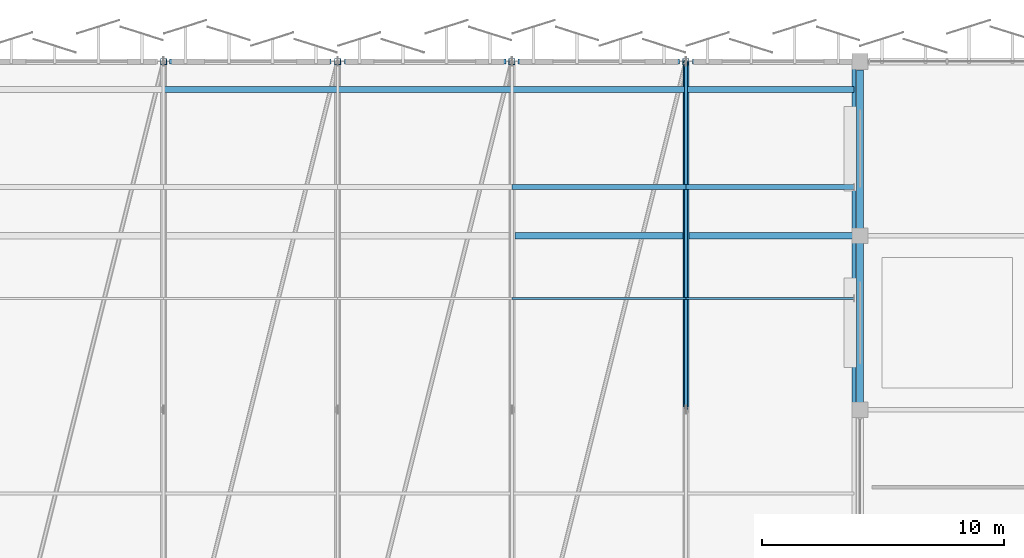
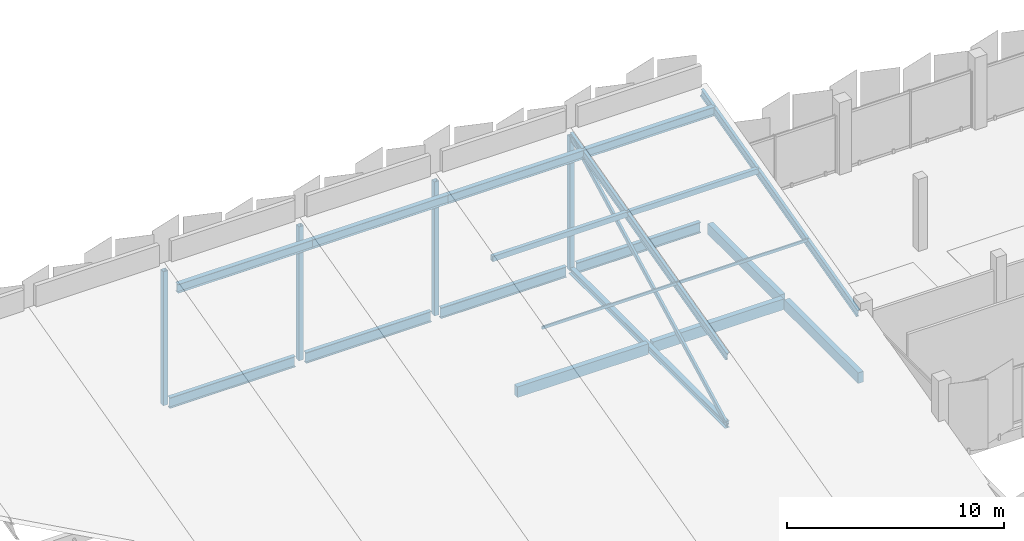
# One storey, part 36 of 108: 16 members, 8 beams.
"""IFC4 building model written with IfcOpenShell, lengths in metres."""

from ifc_helpers import new_model, si_unit, direction, frame, origin, origin_2d, place, context, subcontext, project, spatial, rectangle, hollow_rectangle, i_section, extrude, material, material_profile, profile_set, type_object, element, save


model = new_model("IFC4")

# Units and contexts
model_context = context("Model", 3, precision=1e-05, world=origin(), true_north=direction((0.0, 1.0)))
body_context = subcontext(model_context, "Body", "Model", "MODEL_VIEW")
ifc_project = project(units=[si_unit("LENGTHUNIT", "METRE"), si_unit("AREAUNIT", "SQUARE_METRE"), si_unit("VOLUMEUNIT", "CUBIC_METRE"), si_unit("PLANEANGLEUNIT", "RADIAN"), si_unit("MASSUNIT", "GRAM", prefix="KILO")], contexts=[model_context])

# Site, building, storey
site_placement = place(None, origin())
site = spatial("IfcSite", under=ifc_project, at=site_placement, CompositionType="ELEMENT")
building_placement = place(site_placement, origin())
building = spatial("IfcBuilding", under=site, at=building_placement, Name="Kangsadwip Square Police Headquarters", CompositionType="ELEMENT")
storey_placement = place(building_placement, frame((0.0, 0.0, 9.449951171875)))
storey = spatial("IfcBuildingStorey", under=building, at=storey_placement, Name="L02", CompositionType="ELEMENT", Elevation=9.449951171875)

# Beams
ifc_material_1 = material(Name="Concrete M40 (40 MPa)", Category="concrete")
ifc_material_profile_1 = material_profile(ifc_material_1, rectangle(XDim=0.280029296875, YDim=0.60009765625, at=origin_2d()), Name="RC SPN 600X280")
ifc_profile_set_1 = profile_set([ifc_material_profile_1], Name="Concrete M40 (40 MPa)")
beam_type_1 = type_object("IfcBeamType", Name="RcSpandrel600x280", PredefinedType="SPANDREL", material=ifc_profile_set_1)
beam_1_placement = place(storey_placement, frame((79.324951171875, 108.0, -0.5400390625), z_axis=(1.0, 0.0, 0.0), x_axis=(0.0, 1.0, 0.0)))
element("IfcBeam", 1, at=beam_1_placement, inside=storey, type_object=beam_type_1, Name="Beam BM-L02-X-11-15", PredefinedType="SPANDREL", context=body_context, shape_type="SweptSolid", body=[
    extrude(rectangle(XDim=0.280029296875, YDim=0.60009765625, at=origin_2d()), origin(), (0.0, 0.0, 1.0), 6.949951171875),
])
beam_2_placement = place(storey_placement, frame((86.52490234375, 108.0, -0.5400390625), z_axis=(1.0, 0.0, 0.0), x_axis=(0.0, 1.0, 0.0)))
element("IfcBeam", 2, at=beam_2_placement, inside=storey, type_object=beam_type_1, Name="Beam BM-L02-X-12-15", PredefinedType="SPANDREL", context=body_context, shape_type="SweptSolid", body=[
    extrude(rectangle(XDim=0.280029296875, YDim=0.60009765625, at=origin_2d()), origin(), (0.0, 0.0, 1.0), 6.9501953125),
])
beam_3_placement = place(storey_placement, frame((93.60009765625, 101.0, -0.5400390625), z_axis=(0.0, 1.0, 0.0), x_axis=(-1.0, 0.0, 0.0)))
element("IfcBeam", 3, at=beam_3_placement, inside=storey, type_object=beam_type_1, Name="Beam BM-L02-Y-13-14", PredefinedType="SPANDREL", context=body_context, shape_type="SweptSolid", body=[
    extrude(rectangle(XDim=0.280029296875, YDim=0.60009765625, at=origin_2d()), origin(), (0.0, 0.0, 1.0), 6.800048828125),
])
beam_4_placement = place(storey_placement, frame((93.60009765625, 108.199951171875, -0.5400390625), z_axis=(0.0, 1.0, 0.0), x_axis=(-1.0, 0.0, 0.0)))
element("IfcBeam", 4, at=beam_4_placement, inside=storey, type_object=beam_type_1, Name="Beam BM-L02-Y-13-15", PredefinedType="SPANDREL", context=body_context, shape_type="SweptSolid", body=[
    extrude(rectangle(XDim=0.280029296875, YDim=0.60009765625, at=origin_2d()), origin(), (0.0, 0.0, 1.0), 6.650146484375),
])

# Members
ifc_material_2 = material(Name="Structural steel IS 2062 E350 (Grade 350, 350 MPa)", Category="steel")
ifc_material_profile_2 = material_profile(ifc_material_2, hollow_rectangle(XDim=0.080078125, YDim=0.159912109375, WallThickness=0.006103515625, at=origin_2d()), Name="RHS 160X80X6")
ifc_profile_set_2 = profile_set([ifc_material_profile_2], Name="Structural steel IS 2062 E350 (Grade 350, 350 MPa)")
member_type_1 = type_object("IfcMemberType", Name="RoofPurlinRhs160", PredefinedType="PURLIN", material=ifc_profile_set_2)
member_1_placement = place(storey_placement, frame((79.199951171875, 105.407958984375, 4.6240234375), z_axis=(1.0, 0.0, 0.0), x_axis=(0.0, 1.0, 0.0)))
element("IfcMember", 5, at=member_1_placement, inside=storey, type_object=member_type_1, Name="Truss Member MEM-L02-0110", PredefinedType="PURLIN", context=body_context, shape_type="SweptSolid", body=[
    extrude(hollow_rectangle(XDim=0.080078125, YDim=0.159912109375, WallThickness=0.006103515625, at=origin_2d()), origin(), (0.0, 0.0, 1.0), 7.199951171875),
])
member_2_placement = place(storey_placement, frame((86.39990234375, 105.407958984375, 4.6240234375), z_axis=(1.0, 0.0, 0.0), x_axis=(0.0, 1.0, 0.0)))
element("IfcMember", 6, at=member_2_placement, inside=storey, type_object=member_type_1, Name="Truss Member MEM-L02-0116", PredefinedType="PURLIN", context=body_context, shape_type="SweptSolid", body=[
    extrude(hollow_rectangle(XDim=0.080078125, YDim=0.159912109375, WallThickness=0.006103515625, at=origin_2d()), origin(), (0.0, 0.0, 1.0), 6.9501953125),
])
ifc_material_3 = material(Name="Structural steel IS 2062 E350 (Grade 350, 350 MPa)", Category="steel")
ifc_material_profile_3 = material_profile(ifc_material_3, hollow_rectangle(XDim=0.199951171875, YDim=0.300048828125, WallThickness=0.011962890625, at=origin_2d()), Name="RHS 300X200X12")
ifc_profile_set_3 = profile_set([ifc_material_profile_3], Name="Structural steel IS 2062 E350 (Grade 350, 350 MPa)")
member_type_2 = type_object("IfcMemberType", Name="RoofPurlinRhs300", PredefinedType="PURLIN", material=ifc_profile_set_3)
member_3_placement = place(storey_placement, frame((79.199951171875, 110.01611328125, 5.738037109375), z_axis=(1.0, 0.0, 0.0), x_axis=(0.0, 1.0, 0.0)))
element("IfcMember", 7, at=member_3_placement, inside=storey, type_object=member_type_2, Name="Truss Member MEM-L02-0111", PredefinedType="PURLIN", context=body_context, shape_type="SweptSolid", body=[
    extrude(hollow_rectangle(XDim=0.199951171875, YDim=0.300048828125, WallThickness=0.011962890625, at=origin_2d()), origin(), (0.0, 0.0, 1.0), 7.199951171875),
])
member_4_placement = place(storey_placement, frame((86.39990234375, 110.01611328125, 5.738037109375), z_axis=(1.0, 0.0, 0.0), x_axis=(0.0, 1.0, 0.0)))
element("IfcMember", 8, at=member_4_placement, inside=storey, type_object=member_type_2, Name="Truss Member MEM-L02-0117", PredefinedType="PURLIN", context=body_context, shape_type="SweptSolid", body=[
    extrude(hollow_rectangle(XDim=0.199951171875, YDim=0.300048828125, WallThickness=0.011962890625, at=origin_2d()), origin(), (0.0, 0.0, 1.0), 6.9501953125),
])
ifc_material_4 = material(Name="Structural steel IS 2062 E350 (Grade 350, 350 MPa)", Category="steel")
ifc_material_profile_4 = material_profile(ifc_material_4, i_section(OverallWidth=0.14990234375, OverallDepth=0.449951171875, WebThickness=0.009521484375, FlangeThickness=0.017333984375, at=origin_2d()), Name="ISMB 450")
ifc_profile_set_4 = profile_set([ifc_material_profile_4], Name="Structural steel IS 2062 E350 (Grade 350, 350 MPa)")
member_type_3 = type_object("IfcMemberType", Name="SawtoothRafterIsmb450", PredefinedType="RAFTER", material=ifc_profile_set_4)
for number, where, z_axis, x_axis, name in (
    (9, (86.39990234375, 100.800048828125, 3.280029296875), (0.0, 0.968539651086, 0.248859286091), (-1.0, 0.0, 0.0), "Truss Member MEM-L02-0069"),
    (10, (93.35009765625, 100.800048828125, 3.280029296875), (0.0, 0.968539651086, 0.248859286091), (-1.0, 0.0, 0.0), "Truss Member MEM-L02-0078"),
):
    element("IfcMember", number, at=place(storey_placement, frame(where, z_axis=z_axis, x_axis=x_axis)), inside=storey, type_object=member_type_3, Name=name, PredefinedType="RAFTER", context=body_context, shape_type="SweptSolid", body=[
        extrude(i_section(OverallWidth=0.14990234375, OverallDepth=0.449951171875, WebThickness=0.009521484375, FlangeThickness=0.017333984375, at=origin_2d()), origin(), (0.0, 0.0, 1.0), 14.86767578125),
    ])

# Beams
ifc_material_5 = material(Name="Structural steel IS 2062 E350 (Grade 350, 350 MPa)", Category="steel")
ifc_material_profile_5 = material_profile(ifc_material_5, i_section(OverallWidth=0.2099609375, OverallDepth=0.60009765625, WebThickness=0.011962890625, FlangeThickness=0.020751953125, at=origin_2d()), Name="ISMB 600")
ifc_profile_set_5 = profile_set([ifc_material_profile_5], Name="Structural steel IS 2062 E350 (Grade 350, 350 MPa)")
beam_type_2 = type_object("IfcBeamType", Name="SteelBeamIsmb600", PredefinedType="BEAM", material=ifc_profile_set_5)
for number, where, z_axis, x_axis, name in (
    (11, (65.050048828125, 115.199951171875, -0.5400390625), (1.0, 0.0, 0.0), (0.0, 1.0, 0.0), "Beam BM-L02-EAVE-0381"),
    (12, (72.27490234375, 115.199951171875, -0.5400390625), (1.0, 0.0, 0.0), (0.0, 1.0, 0.0), "Beam BM-L02-EAVE-0382"),
    (13, (79.449951171875, 115.199951171875, -0.5400390625), (1.0, 0.0, 0.0), (0.0, 1.0, 0.0), "Beam BM-L02-EAVE-0383"),
):
    element("IfcBeam", number, at=place(storey_placement, frame(where, z_axis=z_axis, x_axis=x_axis)), inside=storey, type_object=beam_type_2, Name=name, PredefinedType="BEAM", context=body_context, shape_type="SweptSolid", body=[
        extrude(i_section(OverallWidth=0.2099609375, OverallDepth=0.60009765625, WebThickness=0.011962890625, FlangeThickness=0.020751953125, at=origin_2d()), origin(), (0.0, 0.0, 1.0), 6.675048828125),
    ])
beam_5_placement = place(storey_placement, frame((86.675048828125, 115.199951171875, -0.5400390625), z_axis=(1.0, 0.0, 0.0), x_axis=(0.0, 1.0, 0.0)))
element("IfcBeam", 14, at=beam_5_placement, inside=storey, type_object=beam_type_2, Name="Beam BM-L02-EAVE-0384", PredefinedType="BEAM", context=body_context, shape_type="SweptSolid", body=[
    extrude(i_section(OverallWidth=0.2099609375, OverallDepth=0.60009765625, WebThickness=0.011962890625, FlangeThickness=0.020751953125, at=origin_2d()), origin(), (0.0, 0.0, 1.0), 6.574951171875),
])

# Members
ifc_material_6 = material(Name="Structural steel IS 2062 E350 (Grade 350, 350 MPa)", Category="steel")
ifc_material_profile_6 = material_profile(ifc_material_6, i_section(OverallWidth=0.25, OverallDepth=0.35009765625, WebThickness=0.010009765625, FlangeThickness=0.01171875, at=origin_2d()), Name="ISHB 350")
ifc_profile_set_6 = profile_set([ifc_material_profile_6], Name="Structural steel IS 2062 E350 (Grade 350, 350 MPa)")
member_type_4 = type_object("IfcMemberType", Name="TrussBotChordIshb350", PredefinedType="CHORD", material=ifc_profile_set_6)
member_5_placement = place(storey_placement, frame((86.39990234375, 100.800048828125, -0.550048828125), z_axis=(0.0, 1.0, 0.0), x_axis=(-1.0, 0.0, 0.0)))
element("IfcMember", 15, at=member_5_placement, inside=storey, type_object=member_type_4, Name="Truss Member MEM-L02-0066", PredefinedType="CHORD", context=body_context, shape_type="SweptSolid", body=[
    extrude(i_section(OverallWidth=0.25, OverallDepth=0.35009765625, WebThickness=0.010009765625, FlangeThickness=0.01171875, at=origin_2d()), origin(), (0.0, 0.0, 1.0), 14.39990234375),
])
ifc_material_7 = material(Name="Structural steel IS 2062 E350 (Grade 350, 350 MPa)", Category="steel")
ifc_material_profile_7 = material_profile(ifc_material_7, hollow_rectangle(XDim=0.1201171875, YDim=0.239990234375, WallThickness=0.008056640625, at=origin_2d()), Name="RHS 240X120X8")
ifc_profile_set_7 = profile_set([ifc_material_profile_7], Name="Structural steel IS 2062 E350 (Grade 350, 350 MPa)")
member_type_5 = type_object("IfcMemberType", Name="TrussBraceRhs240", PredefinedType="BRACE", material=ifc_profile_set_7)
member_6_placement = place(storey_placement, frame((86.39990234375, 100.800048828125, -0.550048828125), z_axis=(0.0, 0.886154500074, 0.46338990278), x_axis=(-1.0, 0.0, 0.0)))
element("IfcMember", 16, at=member_6_placement, inside=storey, type_object=member_type_5, Name="Truss Member MEM-L02-0075", PredefinedType="BRACE", context=body_context, shape_type="SweptSolid", body=[
    extrude(hollow_rectangle(XDim=0.1201171875, YDim=0.239990234375, WallThickness=0.008056640625, at=origin_2d()), origin(), (0.0, 0.0, 1.0), 16.249755859375),
])
ifc_material_8 = material(Name="Structural steel IS 2062 E350 (Grade 350, 350 MPa)", Category="steel")
ifc_material_profile_8 = material_profile(ifc_material_8, hollow_rectangle(XDim=0.25, YDim=0.25, WallThickness=0.011962890625, at=origin_2d()), Name="SHS 250X250X12")
ifc_profile_set_8 = profile_set([ifc_material_profile_8], Name="Structural steel IS 2062 E350 (Grade 350, 350 MPa)")
member_type_6 = type_object("IfcMemberType", Name="TrussPostShs250", PredefinedType="POST", material=ifc_profile_set_8)
for number, where, z_axis, x_axis, name in (
    (17, (64.800048828125, 115.199951171875, -0.550048828125), (0.0, 0.0, 1.0), (1.0, 0.0, 0.0), "Truss Member MEM-L02-0036"),
    (18, (72.0, 115.199951171875, -0.550048828125), (0.0, 0.0, 1.0), (1.0, 0.0, 0.0), "Truss Member MEM-L02-0048"),
    (19, (79.199951171875, 115.199951171875, -0.550048828125), (0.0, 0.0, 1.0), (1.0, 0.0, 0.0), "Truss Member MEM-L02-0060"),
    (20, (86.39990234375, 115.199951171875, -0.550048828125), (0.0, 0.0, 1.0), (1.0, 0.0, 0.0), "Truss Member MEM-L02-0072"),
):
    element("IfcMember", number, at=place(storey_placement, frame(where, z_axis=z_axis, x_axis=x_axis)), inside=storey, type_object=member_type_6, Name=name, PredefinedType="POST", context=body_context, shape_type="SweptSolid", body=[
        extrude(hollow_rectangle(XDim=0.25, YDim=0.25, WallThickness=0.011962890625, at=origin_2d()), origin(), (0.0, 0.0, 1.0), 7.530029296875),
    ])
ifc_material_9 = material(Name="Structural steel IS 2062 E350 (Grade 350, 350 MPa)", Category="steel")
ifc_material_profile_9 = material_profile(ifc_material_9, i_section(OverallWidth=0.25, OverallDepth=0.5, WebThickness=0.010009765625, FlangeThickness=0.0146484375, at=origin_2d()), Name="ISWB 500")
ifc_profile_set_9 = profile_set([ifc_material_profile_9], Name="Structural steel IS 2062 E350 (Grade 350, 350 MPa)")
member_type_7 = type_object("IfcMemberType", Name="TrussTopChordIswb500", PredefinedType="CHORD", material=ifc_profile_set_9)
for number, where, z_axis, x_axis, name in (
    (21, (64.800048828125, 114.048095703125, 6.674072265625), (1.0, 0.0, 0.0), (0.0, 1.0, 0.0), "Truss Member MEM-L02-0100"),
    (22, (72.0, 114.048095703125, 6.674072265625), (1.0, 0.0, 0.0), (0.0, 1.0, 0.0), "Truss Member MEM-L02-0106"),
    (23, (79.199951171875, 114.048095703125, 6.674072265625), (1.0, 0.0, 0.0), (0.0, 1.0, 0.0), "Truss Member MEM-L02-0112"),
):
    element("IfcMember", number, at=place(storey_placement, frame(where, z_axis=z_axis, x_axis=x_axis)), inside=storey, type_object=member_type_7, Name=name, PredefinedType="CHORD", context=body_context, shape_type="SweptSolid", body=[
        extrude(i_section(OverallWidth=0.25, OverallDepth=0.5, WebThickness=0.010009765625, FlangeThickness=0.0146484375, at=origin_2d()), origin(), (0.0, 0.0, 1.0), 7.199951171875),
    ])
member_7_placement = place(storey_placement, frame((86.39990234375, 114.048095703125, 6.674072265625), z_axis=(1.0, 0.0, 0.0), x_axis=(0.0, 1.0, 0.0)))
element("IfcMember", 24, at=member_7_placement, inside=storey, type_object=member_type_7, Name="Truss Member MEM-L02-0118", PredefinedType="CHORD", context=body_context, shape_type="SweptSolid", body=[
    extrude(i_section(OverallWidth=0.25, OverallDepth=0.5, WebThickness=0.010009765625, FlangeThickness=0.0146484375, at=origin_2d()), origin(), (0.0, 0.0, 1.0), 6.9501953125),
])

save(model, "model.ifc")
